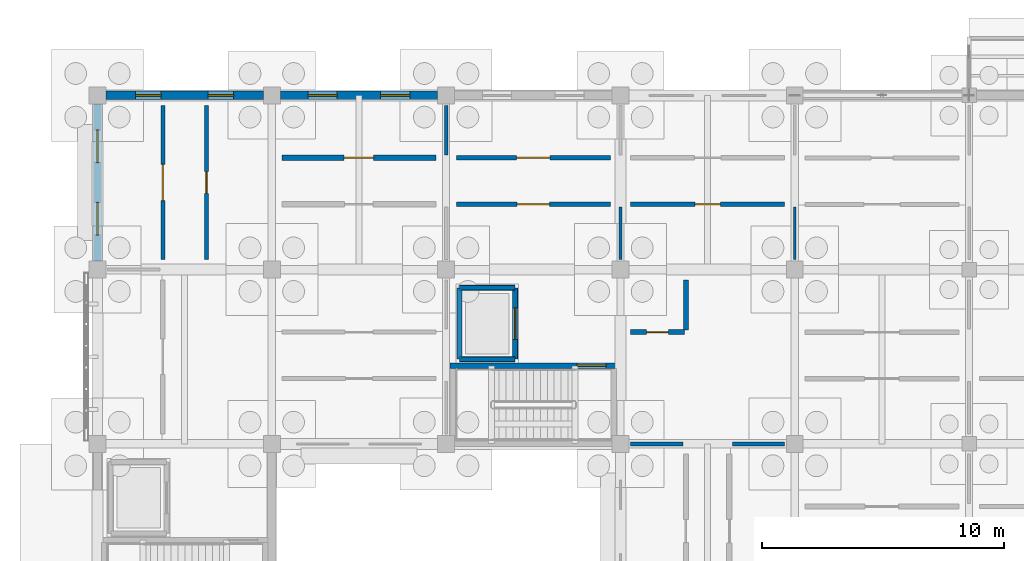
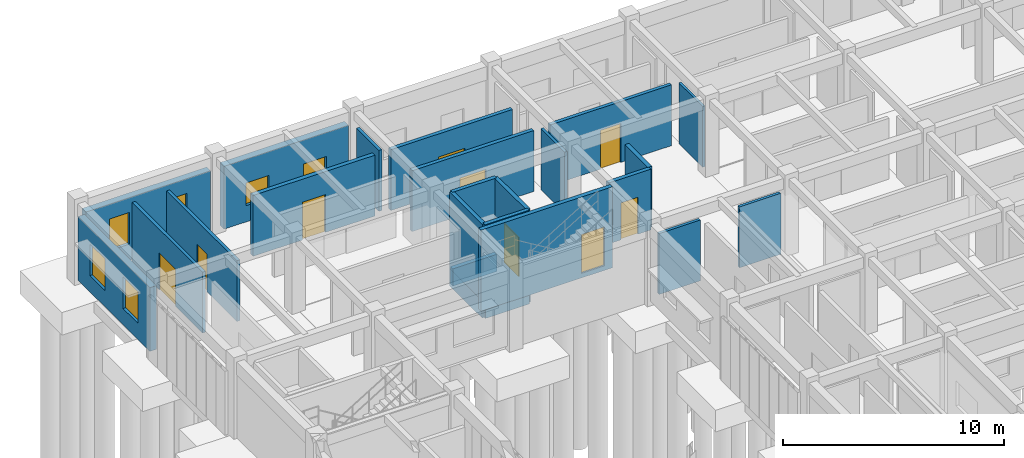
# One storey, part 69 of 111: 25 walls, 9 doors, 6 windows, 15 openings.
"""IFC4 building model written with IfcOpenShell, lengths in metres."""

from ifc_helpers import new_model, si_unit, direction, frame, frame_2d, origin, place, context, subcontext, project, spatial, rectangle, extrude, material, layer, layer_set, type_object, element, fill, save


model = new_model("IFC4")

# Units and contexts
model_context = context("Model", 3, precision=1e-05, world=origin(), true_north=direction((0.0, 1.0)))
body_context = subcontext(model_context, "Body", "Model", "MODEL_VIEW")
ifc_project = project(units=[si_unit("LENGTHUNIT", "METRE"), si_unit("AREAUNIT", "SQUARE_METRE"), si_unit("VOLUMEUNIT", "CUBIC_METRE"), si_unit("PLANEANGLEUNIT", "RADIAN"), si_unit("MASSUNIT", "GRAM", prefix="KILO")], contexts=[model_context])

# Site, building, storey
site_placement = place(None, origin())
site = spatial("IfcSite", under=ifc_project, at=site_placement, CompositionType="ELEMENT")
building_placement = place(site_placement, origin())
building = spatial("IfcBuilding", under=site, at=building_placement, Name="Aldebral Square Health Centre", CompositionType="ELEMENT")
storey_placement = place(building_placement, origin())
storey = spatial("IfcBuildingStorey", under=building, at=storey_placement, Name="L00", CompositionType="ELEMENT", Elevation=0.0)

# Wall, openings, windows
ifc_material_1 = material(Name="Cream cantera stone and concrete wall C35/45", Category="masonry")
ifc_layer_1 = layer(ifc_material_1, 0.340087890625, Name="Cream cantera stone and concrete wall C35/45", Category="masonry")
ifc_layer_set_1 = layer_set([ifc_layer_1], Name="Cream cantera stone and concrete wall C35/45")
wall_type_1 = type_object("IfcWallType", Name="EW-CAN-340", PredefinedType="SOLIDWALL", material=ifc_layer_set_1)
wall_1_placement = place(storey_placement, frame((6.85009765625, 115.199951171875, 0.0), z_axis=(0.0, 0.0, 1.0), x_axis=(-1.0, 0.0, 0.0)))
wall_1 = element("IfcWall", 1, at=wall_1_placement, inside=storey, type_object=wall_type_1, Name="L00 V4 exterior wall L00-V4-00-15-N", PredefinedType="SOLIDWALL", context=body_context, shape_type="SweptSolid", body=[
    extrude(rectangle(XDim=6.5, YDim=0.340087890625, at=frame_2d((3.25, 0.0))), origin(), (0.0, 0.0, 1.0), 3.469970703125),
])
opening_1_placement = place(wall_1_placement, frame((1.22509765625, 0.0, 0.89990234375)))
opening_1 = element("IfcOpeningElement", 2, at=opening_1_placement, cuts=wall_1, Name="Opening W38", PredefinedType="OPENING", context=body_context, shape_type="SweptSolid", body=[
    extrude(rectangle(XDim=1.050048828125, YDim=1.75, at=frame_2d((0.52490234375, 0.875))), frame((0.0, 0.18017578125, 0.0), z_axis=(0.0, -1.0, 0.0), x_axis=(1.0, 0.0, 0.0)), (0.0, 0.0, 1.0), 0.360107421875),
])
opening_2_placement = place(wall_1_placement, frame((4.22509765625, 0.0, 0.89990234375)))
opening_2 = element("IfcOpeningElement", 3, at=opening_2_placement, cuts=wall_1, Name="Opening W38", PredefinedType="OPENING", context=body_context, shape_type="SweptSolid", body=[
    extrude(rectangle(XDim=1.050048828125, YDim=1.75, at=frame_2d((0.52490234375, 0.875))), frame((0.0, 0.18017578125, 0.0), z_axis=(0.0, -1.0, 0.0), x_axis=(1.0, 0.0, 0.0)), (0.0, 0.0, 1.0), 0.360107421875),
])
ifc_material_2 = material(Name="Thermally broken aluminium and low-E glass", Category="aluminium")
window_type_1 = type_object("IfcWindowType", Name="WIN-W38", PartitioningType="SINGLE_PANEL", PredefinedType="WINDOW", material=ifc_material_2)
window_1_placement = place(opening_1_placement, origin())
window_1 = element("IfcWindow", 4, at=window_1_placement, inside=storey, type_object=window_type_1, Name="L00 clinical window L00-V4-00-15-N.1", OverallHeight=1.75, OverallWidth=1.050048828125, PartitioningType="SINGLE_PANEL", PredefinedType="WINDOW", context=body_context, shape_type="SweptSolid", body=[
    extrude(rectangle(XDim=1.050048828125, YDim=1.75, at=frame_2d((0.52490234375, 0.875))), frame((0.0, 0.030029296875, 0.0), z_axis=(0.0, -1.0, 0.0), x_axis=(1.0, 0.0, 0.0)), (0.0, 0.0, 1.0), 0.06005859375),
])
fill(opening_1, window_1)
window_2_placement = place(opening_2_placement, origin())
window_2 = element("IfcWindow", 5, at=window_2_placement, inside=storey, type_object=window_type_1, Name="L00 clinical window L00-V4-00-15-N.2", OverallHeight=1.75, OverallWidth=1.050048828125, PartitioningType="SINGLE_PANEL", PredefinedType="WINDOW", context=body_context, shape_type="SweptSolid", body=[
    extrude(rectangle(XDim=1.050048828125, YDim=1.75, at=frame_2d((0.52490234375, 0.875))), frame((0.0, 0.030029296875, 0.0), z_axis=(0.0, -1.0, 0.0), x_axis=(1.0, 0.0, 0.0)), (0.0, 0.0, 1.0), 0.06005859375),
])
fill(opening_2, window_2)

wall_2_placement = place(storey_placement, frame((0.0, 114.85009765625, 0.0), z_axis=(0.0, 0.0, 1.0), x_axis=(0.0, -1.0, 0.0)))
wall_2 = element("IfcWall", 6, at=wall_2_placement, inside=storey, type_object=wall_type_1, Name="L00 V4 exterior wall L00-V4-00-15-W", PredefinedType="SOLIDWALL", context=body_context, shape_type="SweptSolid", body=[
    extrude(rectangle(XDim=6.5, YDim=0.340087890625, at=frame_2d((3.25, 0.0))), origin(), (0.0, 0.0, 1.0), 3.52001953125),
])
opening_3_placement = place(wall_2_placement, frame((1.074951171875, 0.0, 0.89990234375)))
opening_3 = element("IfcOpeningElement", 7, at=opening_3_placement, cuts=wall_2, Name="Opening W40", PredefinedType="OPENING", context=body_context, shape_type="SweptSolid", body=[
    extrude(rectangle(XDim=1.35009765625, YDim=1.75, at=frame_2d((0.675048828125, 0.875))), frame((0.0, 0.18017578125, 0.0), z_axis=(0.0, -1.0, 0.0), x_axis=(1.0, 0.0, 0.0)), (0.0, 0.0, 1.0), 0.360107421875),
])
opening_4_placement = place(wall_2_placement, frame((4.074951171875, 0.0, 0.89990234375)))
opening_4 = element("IfcOpeningElement", 8, at=opening_4_placement, cuts=wall_2, Name="Opening W40", PredefinedType="OPENING", context=body_context, shape_type="SweptSolid", body=[
    extrude(rectangle(XDim=1.35009765625, YDim=1.75, at=frame_2d((0.675048828125, 0.875))), frame((0.0, 0.18017578125, 0.0), z_axis=(0.0, -1.0, 0.0), x_axis=(1.0, 0.0, 0.0)), (0.0, 0.0, 1.0), 0.360107421875),
])
window_type_2 = type_object("IfcWindowType", Name="WIN-W40", PartitioningType="SINGLE_PANEL", PredefinedType="WINDOW", material=ifc_material_2)
window_3_placement = place(opening_3_placement, origin())
window_3 = element("IfcWindow", 9, at=window_3_placement, inside=storey, type_object=window_type_2, Name="L00 clinical window L00-V4-00-15-W.1", OverallHeight=1.75, OverallWidth=1.35009765625, PartitioningType="SINGLE_PANEL", PredefinedType="WINDOW", context=body_context, shape_type="SweptSolid", body=[
    extrude(rectangle(XDim=1.35009765625, YDim=1.75, at=frame_2d((0.675048828125, 0.875))), frame((0.0, 0.030029296875, 0.0), z_axis=(0.0, -1.0, 0.0), x_axis=(1.0, 0.0, 0.0)), (0.0, 0.0, 1.0), 0.06005859375),
])
fill(opening_3, window_3)
window_4_placement = place(opening_4_placement, origin())
window_4 = element("IfcWindow", 10, at=window_4_placement, inside=storey, type_object=window_type_2, Name="L00 clinical window L00-V4-00-15-W.2", OverallHeight=1.75, OverallWidth=1.35009765625, PartitioningType="SINGLE_PANEL", PredefinedType="WINDOW", context=body_context, shape_type="SweptSolid", body=[
    extrude(rectangle(XDim=1.35009765625, YDim=1.75, at=frame_2d((0.675048828125, 0.875))), frame((0.0, 0.030029296875, 0.0), z_axis=(0.0, -1.0, 0.0), x_axis=(1.0, 0.0, 0.0)), (0.0, 0.0, 1.0), 0.06005859375),
])
fill(opening_4, window_4)

ifc_layer_2 = layer(ifc_material_1, 0.360107421875, Name="Cream cantera stone and concrete wall C35/45", Category="masonry")
ifc_layer_set_2 = layer_set([ifc_layer_2], Name="Cream cantera stone and concrete wall C35/45")
wall_type_2 = type_object("IfcWallType", Name="EW-CAN-360", PredefinedType="SOLIDWALL", material=ifc_layer_set_2)
wall_3_placement = place(storey_placement, frame((14.050048828125, 115.199951171875, 0.0), z_axis=(0.0, 0.0, 1.0), x_axis=(-1.0, 0.0, 0.0)))
wall_3 = element("IfcWall", 11, at=wall_3_placement, inside=storey, type_object=wall_type_2, Name="L00 V4 exterior wall L00-V4-01-15-N", PredefinedType="SOLIDWALL", context=body_context, shape_type="SweptSolid", body=[
    extrude(rectangle(XDim=6.5, YDim=0.360107421875, at=frame_2d((3.25, 0.0))), origin(), (0.0, 0.0, 1.0), 3.469970703125),
])
opening_5_placement = place(wall_3_placement, frame((1.14990234375, 0.0, 0.89990234375)))
opening_5 = element("IfcOpeningElement", 12, at=opening_5_placement, cuts=wall_3, Name="Opening W03", PredefinedType="OPENING", context=body_context, shape_type="SweptSolid", body=[
    extrude(rectangle(XDim=1.199951171875, YDim=1.25, at=frame_2d((0.60009765625, 0.625))), frame((0.0, 0.18994140625, 0.0), z_axis=(0.0, -1.0, 0.0), x_axis=(1.0, 0.0, 0.0)), (0.0, 0.0, 1.0), 0.380126953125),
])
opening_6_placement = place(wall_3_placement, frame((4.14990234375, 0.0, 0.89990234375)))
opening_6 = element("IfcOpeningElement", 13, at=opening_6_placement, cuts=wall_3, Name="Opening W03", PredefinedType="OPENING", context=body_context, shape_type="SweptSolid", body=[
    extrude(rectangle(XDim=1.199951171875, YDim=1.25, at=frame_2d((0.60009765625, 0.625))), frame((0.0, 0.18994140625, 0.0), z_axis=(0.0, -1.0, 0.0), x_axis=(1.0, 0.0, 0.0)), (0.0, 0.0, 1.0), 0.380126953125),
])
window_type_3 = type_object("IfcWindowType", Name="WIN-W03", PartitioningType="SINGLE_PANEL", PredefinedType="WINDOW", material=ifc_material_2)
window_5_placement = place(opening_5_placement, origin())
window_5 = element("IfcWindow", 14, at=window_5_placement, inside=storey, type_object=window_type_3, Name="L00 clinical window L00-V4-01-15-N.1", OverallHeight=1.25, OverallWidth=1.199951171875, PartitioningType="SINGLE_PANEL", PredefinedType="WINDOW", context=body_context, shape_type="SweptSolid", body=[
    extrude(rectangle(XDim=1.199951171875, YDim=1.25, at=frame_2d((0.60009765625, 0.625))), frame((0.0, 0.030029296875, 0.0), z_axis=(0.0, -1.0, 0.0), x_axis=(1.0, 0.0, 0.0)), (0.0, 0.0, 1.0), 0.06005859375),
])
fill(opening_5, window_5)
window_6_placement = place(opening_6_placement, origin())
window_6 = element("IfcWindow", 15, at=window_6_placement, inside=storey, type_object=window_type_3, Name="L00 clinical window L00-V4-01-15-N.2", OverallHeight=1.25, OverallWidth=1.199951171875, PartitioningType="SINGLE_PANEL", PredefinedType="WINDOW", context=body_context, shape_type="SweptSolid", body=[
    extrude(rectangle(XDim=1.199951171875, YDim=1.25, at=frame_2d((0.60009765625, 0.625))), frame((0.0, 0.030029296875, 0.0), z_axis=(0.0, -1.0, 0.0), x_axis=(1.0, 0.0, 0.0)), (0.0, 0.0, 1.0), 0.06005859375),
])
fill(opening_6, window_6)

# Wall, opening, door
ifc_material_3 = material(Name="Concrete C35/45 compartment wall", Category="concrete")
ifc_layer_3 = layer(ifc_material_3, 0.199951171875, Name="Concrete C35/45 compartment wall", Category="concrete")
ifc_layer_set_3 = layer_set([ifc_layer_3], Name="Concrete C35/45 compartment wall")
wall_type_3 = type_object("IfcWallType", Name="IW-CMP-200", PredefinedType="SOLIDWALL", material=ifc_layer_set_3)
wall_4_placement = place(storey_placement, frame((14.820068359375, 110.699951171875, 0.0), z_axis=(0.0, 0.0, 1.0), x_axis=(1.0, 0.0, 0.0)))
wall_4 = element("IfcWall", 16, at=wall_4_placement, inside=storey, type_object=wall_type_3, Name="L00 General Consulting Room 3.16S corridor wall", PredefinedType="SOLIDWALL", context=body_context, shape_type="SweptSolid", body=[
    extrude(rectangle(XDim=6.35986328125, YDim=0.199951171875, at=frame_2d((3.179931640625, 0.0))), origin(), (0.0, 0.0, 1.0), 3.360107421875),
])
opening_7_placement = place(wall_4_placement, frame((2.510009765625, 0.0, 0.0)))
opening_7 = element("IfcOpeningElement", 17, at=opening_7_placement, cuts=wall_4, Name="Opening D-0111", PredefinedType="OPENING", context=body_context, shape_type="SweptSolid", body=[
    extrude(rectangle(XDim=1.340087890625, YDim=2.090087890625, at=frame_2d((0.669921875, 1.044921875))), frame((0.0, 0.10986328125, 0.0), z_axis=(0.0, -1.0, 0.0), x_axis=(1.0, 0.0, 0.0)), (0.0, 0.0, 1.0), 0.219970703125),
])
ifc_material_4 = material(Name="Clinical suite fire door")
door_type_1 = type_object("IfcDoorType", Name="ID-EXD-27", OperationType="NOTDEFINED", PredefinedType="DOOR", material=ifc_material_4)
door_1_placement = place(opening_7_placement, origin())
door_1 = element("IfcDoor", 18, at=door_1_placement, inside=storey, type_object=door_type_1, Name="L00 General Consulting Room 3.16S door", OperationType="SINGLE_SWING_RIGHT", OverallHeight=2.090087890625, OverallWidth=1.340087890625, PredefinedType="DOOR", context=body_context, shape_type="SweptSolid", body=[
    extrude(rectangle(XDim=1.340087890625, YDim=2.090087890625, at=frame_2d((0.669921875, 1.044921875))), frame((0.0, 0.02490234375, 0.0), z_axis=(0.0, -1.0, 0.0), x_axis=(1.0, 0.0, 0.0)), (0.0, 0.0, 1.0), 0.050048828125),
])
fill(opening_7, door_1)

wall_5_placement = place(storey_placement, frame((14.820068359375, 112.6201171875, 0.0), z_axis=(0.0, 0.0, 1.0), x_axis=(1.0, 0.0, 0.0)))
wall_5 = element("IfcWall", 19, at=wall_5_placement, inside=storey, type_object=wall_type_3, Name="L00 Family Practice Clinic 3.16N corridor wall", PredefinedType="SOLIDWALL", context=body_context, shape_type="SweptSolid", body=[
    extrude(rectangle(XDim=6.35986328125, YDim=0.199951171875, at=frame_2d((3.179931640625, 0.0))), origin(), (0.0, 0.0, 1.0), 3.360107421875),
])
opening_8_placement = place(wall_5_placement, frame((2.489990234375, 0.0, 0.0)))
opening_8 = element("IfcOpeningElement", 20, at=opening_8_placement, cuts=wall_5, Name="Opening D-0112", PredefinedType="OPENING", context=body_context, shape_type="SweptSolid", body=[
    extrude(rectangle(XDim=1.3798828125, YDim=2.090087890625, at=frame_2d((0.68994140625, 1.044921875))), frame((0.0, 0.10986328125, 0.0), z_axis=(0.0, -1.0, 0.0), x_axis=(1.0, 0.0, 0.0)), (0.0, 0.0, 1.0), 0.219970703125),
])
door_type_2 = type_object("IfcDoorType", Name="ID-EXD-28", OperationType="NOTDEFINED", PredefinedType="DOOR", material=ifc_material_4)
door_2_placement = place(opening_8_placement, origin())
door_2 = element("IfcDoor", 21, at=door_2_placement, inside=storey, type_object=door_type_2, Name="L00 Family Practice Clinic 3.16N door", OperationType="SINGLE_SWING_LEFT", OverallHeight=2.090087890625, OverallWidth=1.3798828125, PredefinedType="DOOR", context=body_context, shape_type="SweptSolid", body=[
    extrude(rectangle(XDim=1.3798828125, YDim=2.090087890625, at=frame_2d((0.68994140625, 1.044921875))), frame((0.0, 0.02490234375, 0.0), z_axis=(0.0, -1.0, 0.0), x_axis=(1.0, 0.0, 0.0)), (0.0, 0.0, 1.0), 0.050048828125),
])
fill(opening_8, door_2)

wall_6_placement = place(storey_placement, frame((22.02001953125, 105.419921875, 0.0), z_axis=(0.0, 0.0, 1.0), x_axis=(1.0, 0.0, 0.0)))
wall_6 = element("IfcWall", 22, at=wall_6_placement, inside=storey, type_object=wall_type_3, Name="L00 Family Practice Clinic 4.15NW corridor wall", PredefinedType="SOLIDWALL", context=body_context, shape_type="SweptSolid", body=[
    extrude(rectangle(XDim=2.219970703125, YDim=0.199951171875, at=frame_2d((1.10986328125, 0.0))), origin(), (0.0, 0.0, 1.0), 3.360107421875),
])
opening_9_placement = place(wall_6_placement, frame((0.659912109375, 0.0, 0.0)))
opening_9 = element("IfcOpeningElement", 23, at=opening_9_placement, cuts=wall_6, Name="Opening D-0119", PredefinedType="OPENING", context=body_context, shape_type="SweptSolid", body=[
    extrude(rectangle(XDim=0.89990234375, YDim=2.0400390625, at=frame_2d((0.449951171875, 1.02001953125))), frame((0.0, 0.10986328125, 0.0), z_axis=(0.0, -1.0, 0.0), x_axis=(1.0, 0.0, 0.0)), (0.0, 0.0, 1.0), 0.219970703125),
])
door_type_3 = type_object("IfcDoorType", Name="ID-EXD-00", OperationType="NOTDEFINED", PredefinedType="DOOR", material=ifc_material_4)
door_3_placement = place(opening_9_placement, origin())
door_3 = element("IfcDoor", 24, at=door_3_placement, inside=storey, type_object=door_type_3, Name="L00 Family Practice Clinic 4.15NW door", OperationType="SINGLE_SWING_RIGHT", OverallHeight=2.0400390625, OverallWidth=0.89990234375, PredefinedType="DOOR", context=body_context, shape_type="SweptSolid", body=[
    extrude(rectangle(XDim=0.89990234375, YDim=2.0400390625, at=frame_2d((0.449951171875, 1.02001953125))), frame((0.0, 0.02490234375, 0.0), z_axis=(0.0, -1.0, 0.0), x_axis=(1.0, 0.0, 0.0)), (0.0, 0.0, 1.0), 0.050048828125),
])
fill(opening_9, door_3)

ifc_layer_4 = layer(ifc_material_3, 0.219970703125, Name="Concrete C35/45 compartment wall", Category="concrete")
ifc_layer_set_4 = layer_set([ifc_layer_4], Name="Concrete C35/45 compartment wall")
wall_type_4 = type_object("IfcWallType", Name="IW-CMP-220", PredefinedType="SOLIDWALL", material=ifc_layer_set_4)
wall_7_placement = place(storey_placement, frame((7.6201171875, 112.6201171875, 0.0), z_axis=(0.0, 0.0, 1.0), x_axis=(1.0, 0.0, 0.0)))
wall_7 = element("IfcWall", 25, at=wall_7_placement, inside=storey, type_object=wall_type_4, Name="L00 Clean Clinical Store 2.16N corridor wall", PredefinedType="SOLIDWALL", context=body_context, shape_type="SweptSolid", body=[
    extrude(rectangle(XDim=6.35986328125, YDim=0.219970703125, at=frame_2d((3.179931640625, 0.0))), origin(), (0.0, 0.0, 1.0), 3.360107421875),
])
opening_10_placement = place(wall_7_placement, frame((2.570068359375, 0.0, 0.0)))
opening_10 = element("IfcOpeningElement", 26, at=opening_10_placement, cuts=wall_7, Name="Opening D-0108", PredefinedType="OPENING", context=body_context, shape_type="SweptSolid", body=[
    extrude(rectangle(XDim=1.219970703125, YDim=2.090087890625, at=frame_2d((0.60986328125, 1.044921875))), frame((0.0, 0.1201171875, 0.0), z_axis=(0.0, -1.0, 0.0), x_axis=(1.0, 0.0, 0.0)), (0.0, 0.0, 1.0), 0.239990234375),
])
door_type_4 = type_object("IfcDoorType", Name="ID-EXD-24", OperationType="NOTDEFINED", PredefinedType="DOOR", material=ifc_material_4)
door_4_placement = place(opening_10_placement, origin())
door_4 = element("IfcDoor", 27, at=door_4_placement, inside=storey, type_object=door_type_4, Name="L00 Clean Clinical Store 2.16N door", OperationType="SINGLE_SWING_LEFT", OverallHeight=2.090087890625, OverallWidth=1.219970703125, PredefinedType="DOOR", context=body_context, shape_type="SweptSolid", body=[
    extrude(rectangle(XDim=1.219970703125, YDim=2.090087890625, at=frame_2d((0.60986328125, 1.044921875))), frame((0.0, 0.02490234375, 0.0), z_axis=(0.0, -1.0, 0.0), x_axis=(1.0, 0.0, 0.0)), (0.0, 0.0, 1.0), 0.050048828125),
])
fill(opening_10, door_4)

ifc_material_5 = material(Name="Fire-rated acoustic gypsum partition")
ifc_layer_5 = layer(ifc_material_5, 0.1650390625, Name="Fire-rated acoustic gypsum partition")
ifc_layer_set_5 = layer_set([ifc_layer_5], Name="Fire-rated acoustic gypsum partition")
wall_type_5 = type_object("IfcWallType", Name="IW-COR-165", PredefinedType="PARTITIONING", material=ifc_layer_set_5)
wall_8_placement = place(storey_placement, frame((2.699951171875, 108.419921875, 0.0), z_axis=(0.0, 0.0, 1.0), x_axis=(0.0, 1.0, 0.0)))
wall_8 = element("IfcWall", 28, at=wall_8_placement, inside=storey, type_object=wall_type_5, Name="L00 Vaccination Room 1.16W corridor wall", PredefinedType="PARTITIONING", context=body_context, shape_type="SweptSolid", body=[
    extrude(rectangle(XDim=6.360107421875, YDim=0.1650390625, at=frame_2d((3.18017578125, 0.0))), origin(), (0.0, 0.0, 1.0), 3.360107421875),
])
opening_11_placement = place(wall_8_placement, frame((2.429931640625, 0.0, 0.0)))
opening_11 = element("IfcOpeningElement", 29, at=opening_11_placement, cuts=wall_8, Name="Opening D-0099", PredefinedType="OPENING", context=body_context, shape_type="SweptSolid", body=[
    extrude(rectangle(XDim=1.5, YDim=2.0400390625, at=frame_2d((0.75, 1.02001953125))), frame((0.0, 0.092529296875, 0.0), z_axis=(0.0, -1.0, 0.0), x_axis=(1.0, 0.0, 0.0)), (0.0, 0.0, 1.0), 0.18505859375),
])
door_type_5 = type_object("IfcDoorType", Name="ID-EXD-15", OperationType="NOTDEFINED", PredefinedType="DOOR", material=ifc_material_4)
door_5_placement = place(opening_11_placement, origin())
door_5 = element("IfcDoor", 30, at=door_5_placement, inside=storey, type_object=door_type_5, Name="L00 Vaccination Room 1.16W door", OperationType="SINGLE_SWING_RIGHT", OverallHeight=2.0400390625, OverallWidth=1.5, PredefinedType="DOOR", context=body_context, shape_type="SweptSolid", body=[
    extrude(rectangle(XDim=1.5, YDim=2.0400390625, at=frame_2d((0.75, 1.02001953125))), frame((0.0, 0.02490234375, 0.0), z_axis=(0.0, -1.0, 0.0), x_axis=(1.0, 0.0, 0.0)), (0.0, 0.0, 1.0), 0.050048828125),
])
fill(opening_11, door_5)

wall_9_placement = place(storey_placement, frame((4.5, 108.419921875, 0.0), z_axis=(0.0, 0.0, 1.0), x_axis=(0.0, 1.0, 0.0)))
wall_9 = element("IfcWall", 31, at=wall_9_placement, inside=storey, type_object=wall_type_5, Name="L00 Triage Nurse Station 1.16E corridor wall", PredefinedType="PARTITIONING", context=body_context, shape_type="SweptSolid", body=[
    extrude(rectangle(XDim=6.360107421875, YDim=0.1650390625, at=frame_2d((3.18017578125, 0.0))), origin(), (0.0, 0.0, 1.0), 3.360107421875),
])
opening_12_placement = place(wall_9_placement, frame((2.72998046875, 0.0, 0.0)))
opening_12 = element("IfcOpeningElement", 32, at=opening_12_placement, cuts=wall_9, Name="Opening D-0100", PredefinedType="OPENING", context=body_context, shape_type="SweptSolid", body=[
    extrude(rectangle(XDim=0.89990234375, YDim=2.090087890625, at=frame_2d((0.449951171875, 1.044921875))), frame((0.0, 0.092529296875, 0.0), z_axis=(0.0, -1.0, 0.0), x_axis=(1.0, 0.0, 0.0)), (0.0, 0.0, 1.0), 0.18505859375),
])
door_type_6 = type_object("IfcDoorType", Name="ID-EXD-16", OperationType="NOTDEFINED", PredefinedType="DOOR", material=ifc_material_4)
door_6_placement = place(opening_12_placement, origin())
door_6 = element("IfcDoor", 33, at=door_6_placement, inside=storey, type_object=door_type_6, Name="L00 Triage Nurse Station 1.16E door", OperationType="SINGLE_SWING_LEFT", OverallHeight=2.090087890625, OverallWidth=0.89990234375, PredefinedType="DOOR", context=body_context, shape_type="SweptSolid", body=[
    extrude(rectangle(XDim=0.89990234375, YDim=2.090087890625, at=frame_2d((0.449951171875, 1.044921875))), frame((0.0, 0.02490234375, 0.0), z_axis=(0.0, -1.0, 0.0), x_axis=(1.0, 0.0, 0.0)), (0.0, 0.0, 1.0), 0.050048828125),
])
fill(opening_12, door_6)

ifc_layer_6 = layer(ifc_material_5, 0.179931640625, Name="Fire-rated acoustic gypsum partition")
ifc_layer_set_6 = layer_set([ifc_layer_6], Name="Fire-rated acoustic gypsum partition")
wall_type_6 = type_object("IfcWallType", Name="IW-COR-180", PredefinedType="PARTITIONING", material=ifc_layer_set_6)
wall_10_placement = place(storey_placement, frame((22.02001953125, 110.699951171875, 0.0), z_axis=(0.0, 0.0, 1.0), x_axis=(1.0, 0.0, 0.0)))
wall_10 = element("IfcWall", 34, at=wall_10_placement, inside=storey, type_object=wall_type_6, Name="L00 Vaccination Room 4.16S corridor wall", PredefinedType="PARTITIONING", context=body_context, shape_type="SweptSolid", body=[
    extrude(rectangle(XDim=6.35986328125, YDim=0.179931640625, at=frame_2d((3.179931640625, 0.0))), origin(), (0.0, 0.0, 1.0), 3.360107421875),
])
opening_13_placement = place(wall_10_placement, frame((2.64990234375, 0.0, 0.0)))
opening_13 = element("IfcOpeningElement", 35, at=opening_13_placement, cuts=wall_10, Name="Opening D-0120", PredefinedType="OPENING", context=body_context, shape_type="SweptSolid", body=[
    extrude(rectangle(XDim=1.06005859375, YDim=2.139892578125, at=frame_2d((0.530029296875, 1.06982421875))), frame((0.0, 0.10009765625, 0.0), z_axis=(0.0, -1.0, 0.0), x_axis=(1.0, 0.0, 0.0)), (0.0, 0.0, 1.0), 0.199951171875),
])
door_type_7 = type_object("IfcDoorType", Name="ID-EXD-36", OperationType="NOTDEFINED", PredefinedType="DOOR", material=ifc_material_4)
door_7_placement = place(opening_13_placement, origin())
door_7 = element("IfcDoor", 36, at=door_7_placement, inside=storey, type_object=door_type_7, Name="L00 Vaccination Room 4.16S door", OperationType="SINGLE_SWING_LEFT", OverallHeight=2.139892578125, OverallWidth=1.06005859375, PredefinedType="DOOR", context=body_context, shape_type="SweptSolid", body=[
    extrude(rectangle(XDim=1.06005859375, YDim=2.139892578125, at=frame_2d((0.530029296875, 1.06982421875))), frame((0.0, 0.02490234375, 0.0), z_axis=(0.0, -1.0, 0.0), x_axis=(1.0, 0.0, 0.0)), (0.0, 0.0, 1.0), 0.050048828125),
])
fill(opening_13, door_7)

ifc_material_6 = material(Name="Concrete C40/50", Category="concrete")
ifc_layer_7 = layer(ifc_material_6, 0.219970703125, Name="Concrete C40/50", Category="concrete")
ifc_layer_set_7 = layer_set([ifc_layer_7], Name="Concrete C40/50")
wall_type_7 = type_object("IfcWallType", Name="IW-CORE-280", PredefinedType="SHEAR", material=ifc_layer_set_7)
wall_11_placement = place(storey_placement, frame((14.56005859375, 104.030029296875, -0.25), z_axis=(0.0, 0.0, 1.0), x_axis=(1.0, 0.0, 0.0)))
wall_11 = element("IfcWall", 37, at=wall_11_placement, inside=storey, type_object=wall_type_7, Name="L00 WC-C2 shaft wall N", PredefinedType="SHEAR", context=body_context, shape_type="SweptSolid", body=[
    extrude(rectangle(XDim=6.8798828125, YDim=0.219970703125, at=frame_2d((3.43994140625, 0.0))), origin(), (0.0, 0.0, 1.0), 4.469970703125),
])
opening_14_placement = place(wall_11_placement, frame((5.25, 0.0, 0.25)))
opening_14 = element("IfcOpeningElement", 38, at=opening_14_placement, cuts=wall_11, Name="Opening D-0020", PredefinedType="OPENING", context=body_context, shape_type="SweptSolid", body=[
    extrude(rectangle(XDim=1.199951171875, YDim=2.14990234375, at=frame_2d((0.60009765625, 1.074951171875))), frame((0.0, 0.1201171875, 0.0), z_axis=(0.0, -1.0, 0.0), x_axis=(1.0, 0.0, 0.0)), (0.0, 0.0, 1.0), 0.239990234375),
])
ifc_material_7 = material(Name="Fire-rated steel stair door", Category="steel")
door_type_8 = type_object("IfcDoorType", Name="ID-ST-120", OperationType="NOTDEFINED", PredefinedType="DOOR", material=ifc_material_7)
door_8_placement = place(opening_14_placement, origin())
door_8 = element("IfcDoor", 39, at=door_8_placement, inside=storey, type_object=door_type_8, Name="L00 ST-02 fire door", OperationType="SINGLE_SWING_RIGHT", OverallHeight=2.14990234375, OverallWidth=1.199951171875, PredefinedType="DOOR", context=body_context, shape_type="SweptSolid", body=[
    extrude(rectangle(XDim=1.199951171875, YDim=2.14990234375, at=frame_2d((0.60009765625, 1.074951171875))), frame((0.0, 0.02490234375, 0.0), z_axis=(0.0, -1.0, 0.0), x_axis=(1.0, 0.0, 0.0)), (0.0, 0.0, 1.0), 0.050048828125),
])
fill(opening_14, door_8)

# Walls
ifc_layer_8 = layer(ifc_material_6, 0.219970703125, Name="Concrete C40/50", Category="concrete")
ifc_layer_set_8 = layer_set([ifc_layer_8], Name="Concrete C40/50")
wall_type_8 = type_object("IfcWallType", Name="IW-LFT-220", PredefinedType="SHEAR", material=ifc_layer_set_8)
wall_12_placement = place(storey_placement, frame((14.949951171875, 104.300048828125, -0.949951171875), z_axis=(0.0, 0.0, 1.0), x_axis=(1.0, 0.0, 0.0)))
element("IfcWall", 40, at=wall_12_placement, inside=storey, type_object=wall_type_8, Name="LF-02 pit wall 1", PredefinedType="SHEAR", context=body_context, shape_type="SweptSolid", body=[
    extrude(rectangle(XDim=2.300048828125, YDim=0.219970703125, at=frame_2d((1.14990234375, 0.0))), origin(), (0.0, 0.0, 1.0), 0.949951171875),
])
wall_13_placement = place(storey_placement, frame((17.25, 104.300048828125, -0.949951171875), z_axis=(0.0, 0.0, 1.0), x_axis=(0.0, 1.0, 0.0)))
element("IfcWall", 41, at=wall_13_placement, inside=storey, type_object=wall_type_8, Name="LF-02 pit wall 2", PredefinedType="SHEAR", context=body_context, shape_type="SweptSolid", body=[
    extrude(rectangle(XDim=2.949951171875, YDim=0.219970703125, at=frame_2d((1.47509765625, 0.0))), origin(), (0.0, 0.0, 1.0), 0.949951171875),
])
wall_14_placement = place(storey_placement, frame((17.25, 107.25, -0.949951171875), z_axis=(0.0, 0.0, 1.0), x_axis=(-1.0, 0.0, 0.0)))
element("IfcWall", 42, at=wall_14_placement, inside=storey, type_object=wall_type_8, Name="LF-02 pit wall 3", PredefinedType="SHEAR", context=body_context, shape_type="SweptSolid", body=[
    extrude(rectangle(XDim=2.300048828125, YDim=0.219970703125, at=frame_2d((1.14990234375, 0.0))), origin(), (0.0, 0.0, 1.0), 0.949951171875),
])
wall_15_placement = place(storey_placement, frame((14.949951171875, 107.25, -0.949951171875), z_axis=(0.0, 0.0, 1.0), x_axis=(0.0, -1.0, 0.0)))
element("IfcWall", 43, at=wall_15_placement, inside=storey, type_object=wall_type_8, Name="LF-02 pit wall 4", PredefinedType="SHEAR", context=body_context, shape_type="SweptSolid", body=[
    extrude(rectangle(XDim=2.949951171875, YDim=0.219970703125, at=frame_2d((1.47509765625, 0.0))), origin(), (0.0, 0.0, 1.0), 0.949951171875),
])
ifc_layer_9 = layer(ifc_material_6, 0.199951171875, Name="Concrete C40/50", Category="concrete")
ifc_layer_set_9 = layer_set([ifc_layer_9], Name="Concrete C40/50")
wall_type_9 = type_object("IfcWallType", Name="IW-LFT-250", PredefinedType="SHEAR", material=ifc_layer_set_9)
wall_16_placement = place(storey_placement, frame((14.949951171875, 104.300048828125, 0.0), z_axis=(0.0, 0.0, 1.0), x_axis=(1.0, 0.0, 0.0)))
element("IfcWall", 44, at=wall_16_placement, inside=storey, type_object=wall_type_9, Name="L00 LF-02 shaft wall S", PredefinedType="SHEAR", context=body_context, shape_type="SweptSolid", body=[
    extrude(rectangle(XDim=2.300048828125, YDim=0.199951171875, at=frame_2d((1.14990234375, 0.0))), origin(), (0.0, 0.0, 1.0), 4.219970703125),
])
wall_17_placement = place(storey_placement, frame((14.949951171875, 104.300048828125, 0.0), z_axis=(0.0, 0.0, 1.0), x_axis=(0.0, 1.0, 0.0)))
element("IfcWall", 45, at=wall_17_placement, inside=storey, type_object=wall_type_9, Name="L00 LF-02 shaft wall W", PredefinedType="SHEAR", context=body_context, shape_type="SweptSolid", body=[
    extrude(rectangle(XDim=2.949951171875, YDim=0.199951171875, at=frame_2d((1.47509765625, 0.0))), origin(), (0.0, 0.0, 1.0), 4.219970703125),
])
wall_18_placement = place(storey_placement, frame((14.949951171875, 107.25, 0.0), z_axis=(0.0, 0.0, 1.0), x_axis=(1.0, 0.0, 0.0)))
element("IfcWall", 46, at=wall_18_placement, inside=storey, type_object=wall_type_9, Name="L00 LF-02 shaft wall N", PredefinedType="SHEAR", context=body_context, shape_type="SweptSolid", body=[
    extrude(rectangle(XDim=2.300048828125, YDim=0.199951171875, at=frame_2d((1.14990234375, 0.0))), origin(), (0.0, 0.0, 1.0), 4.219970703125),
])

# Wall, opening, door
wall_19_placement = place(storey_placement, frame((17.25, 104.300048828125, 0.0), z_axis=(0.0, 0.0, 1.0), x_axis=(0.0, 1.0, 0.0)))
wall_19 = element("IfcWall", 47, at=wall_19_placement, inside=storey, type_object=wall_type_9, Name="L00 LF-02 landing wall", PredefinedType="SHEAR", context=body_context, shape_type="SweptSolid", body=[
    extrude(rectangle(XDim=2.949951171875, YDim=0.199951171875, at=frame_2d((1.47509765625, 0.0))), origin(), (0.0, 0.0, 1.0), 4.219970703125),
])
opening_15_placement = place(wall_19_placement, frame((0.824951171875, 0.0, 0.0)))
opening_15 = element("IfcOpeningElement", 48, at=opening_15_placement, cuts=wall_19, Name="Opening LD-2", PredefinedType="OPENING", context=body_context, shape_type="SweptSolid", body=[
    extrude(rectangle(XDim=1.300048828125, YDim=2.14990234375, at=frame_2d((0.64990234375, 1.074951171875))), frame((0.0, 0.10986328125, 0.0), z_axis=(0.0, -1.0, 0.0), x_axis=(1.0, 0.0, 0.0)), (0.0, 0.0, 1.0), 0.219970703125),
])
ifc_material_8 = material(Name="Stainless steel stretcher lift landing door", Category="steel")
door_type_9 = type_object("IfcDoorType", Name="ID-LD-130", OperationType="SLIDING_TO_LEFT", PredefinedType="DOOR", material=ifc_material_8)
door_9_placement = place(opening_15_placement, origin())
door_9 = element("IfcDoor", 49, at=door_9_placement, inside=storey, type_object=door_type_9, Name="L00 LF-02 sliding landing door", OperationType="SLIDING_TO_LEFT", OverallHeight=2.14990234375, OverallWidth=1.300048828125, PredefinedType="DOOR", context=body_context, shape_type="SweptSolid", body=[
    extrude(rectangle(XDim=1.300048828125, YDim=2.14990234375, at=frame_2d((0.64990234375, 1.074951171875))), frame((0.0, 0.02490234375, 0.0), z_axis=(0.0, -1.0, 0.0), x_axis=(1.0, 0.0, 0.0)), (0.0, 0.0, 1.0), 0.050048828125),
])
fill(opening_15, door_9)

# Walls
ifc_material_9 = material(Name="Moisture-resistant sanitary chase wall")
ifc_layer_10 = layer(ifc_material_9, 0.2099609375, Name="Moisture-resistant sanitary chase wall")
ifc_layer_set_10 = layer_set([ifc_layer_10], Name="Moisture-resistant sanitary chase wall")
wall_type_10 = type_object("IfcWallType", Name="IW-PLB-210", PredefinedType="PLUMBINGWALL", material=ifc_layer_set_10)
wall_20_placement = place(storey_placement, frame((24.300048828125, 105.5, 0.0), z_axis=(0.0, 0.0, 1.0), x_axis=(0.0, 1.0, 0.0)))
element("IfcWall", 50, at=wall_20_placement, inside=storey, type_object=wall_type_10, Name="L00 Family Practice Clinic 4.15NW side wall", PredefinedType="PLUMBINGWALL", context=body_context, shape_type="SweptSolid", body=[
    extrude(rectangle(XDim=2.080078125, YDim=0.2099609375, at=frame_2d((1.0400390625, 0.0))), origin(), (0.0, 0.0, 1.0), 3.360107421875),
])
ifc_material_10 = material(Name="Acoustic clinical gypsum partition")
ifc_layer_11 = layer(ifc_material_10, 0.1201171875, Name="Acoustic clinical gypsum partition")
ifc_layer_set_11 = layer_set([ifc_layer_11], Name="Acoustic clinical gypsum partition")
wall_type_11 = type_object("IfcWallType", Name="IW-PRT-120", PredefinedType="PARTITIONING", material=ifc_layer_set_11)
wall_21_placement = place(storey_placement, frame((28.800048828125, 108.419921875, 0.0), z_axis=(0.0, 0.0, 1.0), x_axis=(0.0, 1.0, 0.0)))
element("IfcWall", 51, at=wall_21_placement, inside=storey, type_object=wall_type_11, Name="L00 Vaccination Room 4.16S demising partition", PredefinedType="PARTITIONING", context=body_context, shape_type="SweptSolid", body=[
    extrude(rectangle(XDim=2.16015625, YDim=0.1201171875, at=frame_2d((1.080078125, 0.0))), origin(), (0.0, 0.0, 1.0), 3.360107421875),
])
ifc_layer_12 = layer(ifc_material_10, 0.135009765625, Name="Acoustic clinical gypsum partition")
ifc_layer_set_12 = layer_set([ifc_layer_12], Name="Acoustic clinical gypsum partition")
wall_type_12 = type_object("IfcWallType", Name="IW-PRT-135", PredefinedType="PARTITIONING", material=ifc_layer_set_12)
wall_22_placement = place(storey_placement, frame((21.60009765625, 108.419921875, 0.0), z_axis=(0.0, 0.0, 1.0), x_axis=(0.0, 1.0, 0.0)))
element("IfcWall", 52, at=wall_22_placement, inside=storey, type_object=wall_type_12, Name="L00 General Consulting Room 3.16S demising partition", PredefinedType="PARTITIONING", context=body_context, shape_type="SweptSolid", body=[
    extrude(rectangle(XDim=2.16015625, YDim=0.135009765625, at=frame_2d((1.080078125, 0.0))), origin(), (0.0, 0.0, 1.0), 3.360107421875),
])
ifc_layer_13 = layer(ifc_material_10, 0.14990234375, Name="Acoustic clinical gypsum partition")
ifc_layer_set_13 = layer_set([ifc_layer_13], Name="Acoustic clinical gypsum partition")
wall_type_13 = type_object("IfcWallType", Name="IW-PRT-150", PredefinedType="PARTITIONING", material=ifc_layer_set_13)
wall_23_placement = place(storey_placement, frame((14.39990234375, 112.739990234375, 0.0), z_axis=(0.0, 0.0, 1.0), x_axis=(0.0, 1.0, 0.0)))
element("IfcWall", 53, at=wall_23_placement, inside=storey, type_object=wall_type_13, Name="L00 Clean Clinical Store 2.16N demising partition", PredefinedType="PARTITIONING", context=body_context, shape_type="SweptSolid", body=[
    extrude(rectangle(XDim=2.0400390625, YDim=0.14990234375, at=frame_2d((1.02001953125, 0.0))), origin(), (0.0, 0.0, 1.0), 3.360107421875),
])
for number, where, z_axis, x_axis, name in (
    (54, (22.02001953125, 100.800048828125, 0.0), (0.0, 0.0, 1.0), (1.0, 0.0, 0.0), "L00 Patient Toilet 4.14W demising partition"),
    (55, (26.219970703125, 100.800048828125, 0.0), (0.0, 0.0, 1.0), (1.0, 0.0, 0.0), "L00 General Consulting Room 4.14E demising partition"),
):
    element("IfcWall", number, at=place(storey_placement, frame(where, z_axis=z_axis, x_axis=x_axis)), inside=storey, type_object=wall_type_13, Name=name, PredefinedType="PARTITIONING", context=body_context, shape_type="SweptSolid", body=[
        extrude(rectangle(XDim=2.159912109375, YDim=0.14990234375, at=frame_2d((1.080078125, 0.0))), origin(), (0.0, 0.0, 1.0), 3.360107421875),
    ])

save(model, "model.ifc")
